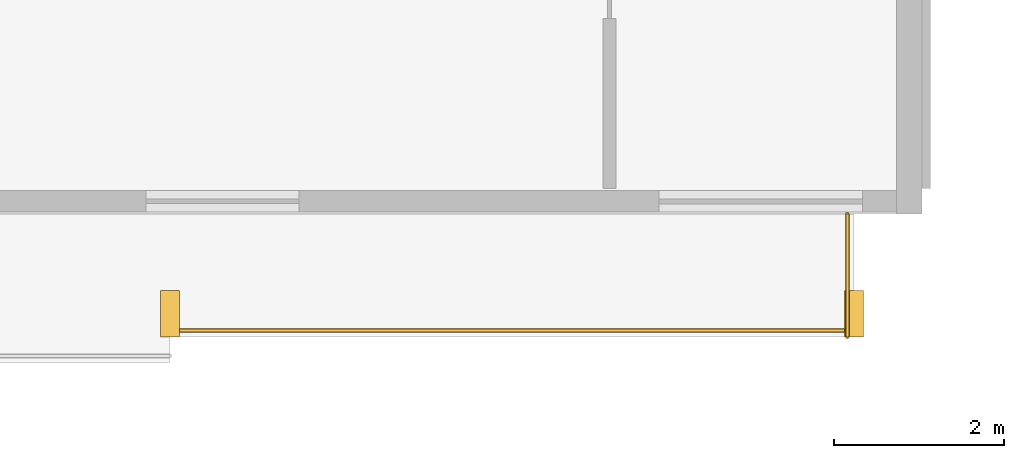
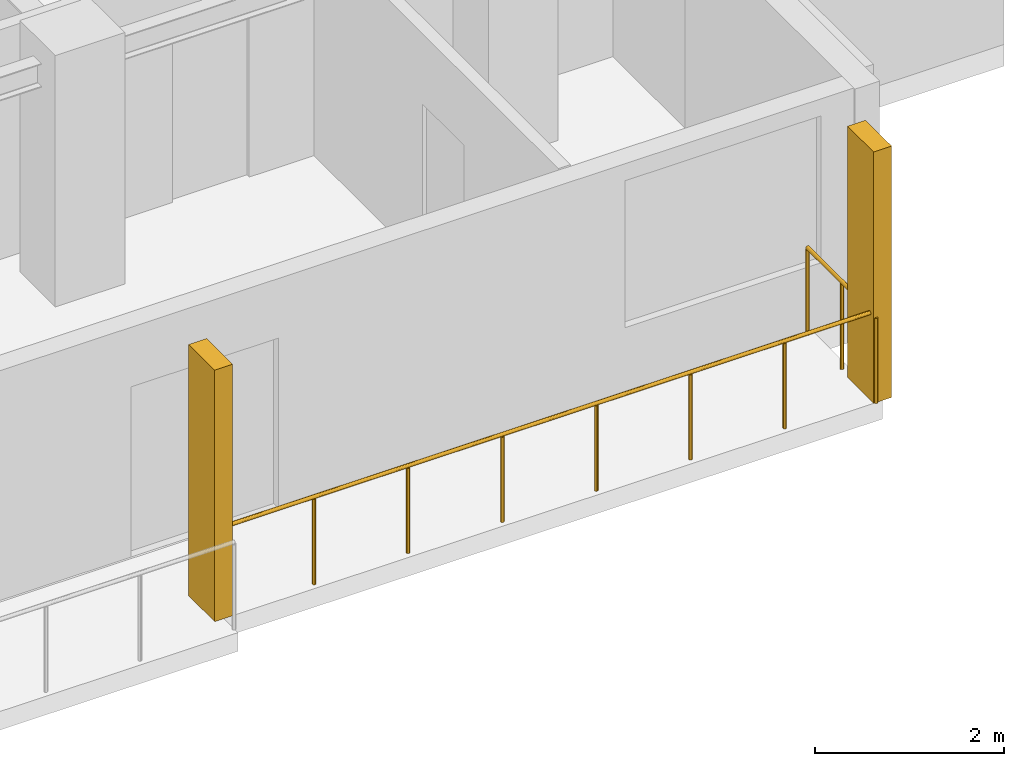
# One storey, part 36 of 38: 2 railings, 2 shading devices.
"""IFC4 building model written with IfcOpenShell, lengths in metres."""

from ifc_helpers import new_model, si_unit, direction, frame, origin, origin_2d, place, context, subcontext, project, spatial, rectangle, circle, extrude, material, type_object, element, save


model = new_model("IFC4")

# Units and contexts
model_context = context("Model", 3, precision=1e-05, world=origin(), true_north=direction((0.0, 1.0)))
body_context = subcontext(model_context, "Body", "Model", "MODEL_VIEW")
ifc_project = project(units=[si_unit("LENGTHUNIT", "METRE"), si_unit("AREAUNIT", "SQUARE_METRE"), si_unit("VOLUMEUNIT", "CUBIC_METRE"), si_unit("PLANEANGLEUNIT", "RADIAN"), si_unit("MASSUNIT", "GRAM", prefix="KILO")], contexts=[model_context])

# Site, building, storey
site_placement = place(None, origin())
site = spatial("IfcSite", under=ifc_project, at=site_placement, CompositionType="ELEMENT")
building_placement = place(site_placement, origin())
building = spatial("IfcBuilding", under=site, at=building_placement, Name="Korimba Cascade Residences", CompositionType="ELEMENT")
storey_placement = place(building_placement, frame((0.0, 0.0, 93.800048828125)))
storey = spatial("IfcBuildingStorey", under=building, at=storey_placement, Name="L26", CompositionType="ELEMENT", Elevation=93.800048828125)

# Railings
ifc_material_1 = material(Name="Laminated Glass and Bronze Balustrade", Category="glass")
railing_type = type_object("IfcRailingType", Name="RLG-LOG-1150", PredefinedType="BALUSTRADE", material=ifc_material_1)
railing_1_placement = place(storey_placement, frame((121.843017578125, -10.3701171875, 0.0)))
element("IfcRailing", 1, at=railing_1_placement, inside=storey, type_object=railing_type, Name="L26 Perimeter Guardrail RLG-L26-T2-LOG-07", PredefinedType="BALUSTRADE", context=body_context, shape_type="SweptSolid", body=[
    extrude(circle(Radius=0.02392578125, at=origin_2d()), frame((0.0, 0.0, 1.1259765625), z_axis=(1.0, 0.0, 0.0), x_axis=(0.0, 1.0, 0.0)), (0.0, 0.0, 1.0), 8.056884765625),
    extrude(circle(Radius=0.02099609375, at=origin_2d()), origin(), (0.0, 0.0, 1.0), 1.101806640625),
    extrude(circle(Radius=0.02099609375, at=origin_2d()), frame((1.15087890625, 0.0, 0.0)), (0.0, 0.0, 1.0), 1.101806640625),
    extrude(circle(Radius=0.02099609375, at=origin_2d()), frame((2.302001953125, 0.0, 0.0)), (0.0, 0.0, 1.0), 1.101806640625),
    extrude(circle(Radius=0.02099609375, at=origin_2d()), frame((3.452880859375, 0.0, 0.0)), (0.0, 0.0, 1.0), 1.101806640625),
    extrude(circle(Radius=0.02099609375, at=origin_2d()), frame((4.60400390625, 0.0, 0.0)), (0.0, 0.0, 1.0), 1.101806640625),
    extrude(circle(Radius=0.02099609375, at=origin_2d()), frame((5.7548828125, 0.0, 0.0)), (0.0, 0.0, 1.0), 1.101806640625),
    extrude(circle(Radius=0.02099609375, at=origin_2d()), frame((6.906005859375, 0.0, 0.0)), (0.0, 0.0, 1.0), 1.101806640625),
    extrude(circle(Radius=0.02099609375, at=origin_2d()), frame((8.056884765625, 0.0, 0.0)), (0.0, 0.0, 1.0), 1.101806640625),
])
railing_2_placement = place(storey_placement, frame((129.820068359375, -10.449951171875, 0.0)))
element("IfcRailing", 2, at=railing_2_placement, inside=storey, type_object=railing_type, Name="L26 Perimeter Guardrail RLG-L26-T2-LOG-08", PredefinedType="BALUSTRADE", context=body_context, shape_type="SweptSolid", body=[
    extrude(circle(Radius=0.02392578125, at=origin_2d()), frame((0.0, 0.0, 1.1259765625), z_axis=(0.0, 1.0, 0.0), x_axis=(-1.0, 0.0, 0.0)), (0.0, 0.0, 1.0), 1.449951171875),
    extrude(circle(Radius=0.02099609375, at=origin_2d()), origin(), (0.0, 0.0, 1.0), 1.101806640625),
    extrude(circle(Radius=0.02099609375, at=origin_2d()), frame((0.0, 0.72509765625, 0.0)), (0.0, 0.0, 1.0), 1.101806640625),
    extrude(circle(Radius=0.02099609375, at=origin_2d()), frame((0.0, 1.449951171875, 0.0)), (0.0, 0.0, 1.0), 1.101806640625),
])

# Shading devices
ifc_material_2 = material(Name="Honed Sandstone Precast Fin", Category="masonry")
shading_device_type = type_object("IfcShadingDeviceType", Name="SHD-FIN-550", PredefinedType="USERDEFINED", material=ifc_material_2)
for number, where, z_axis, x_axis, name in (
    (3, (121.843017578125, -10.175048828125, 0.0), (0.0, 0.0, 1.0), (1.0, 0.0, 0.0), "L26 T2 Warm-Stone Loggia Fin 7"),
    (4, (129.89990234375, -10.175048828125, 0.0), (0.0, 0.0, 1.0), (1.0, 0.0, 0.0), "L26 T2 Warm-Stone Loggia Fin 8"),
):
    element("IfcShadingDevice", number, at=place(storey_placement, frame(where, z_axis=z_axis, x_axis=x_axis)), inside=storey, type_object=shading_device_type, Name=name, ObjectType="FIN", PredefinedType="USERDEFINED", context=body_context, shape_type="SweptSolid", body=[
        extrude(rectangle(XDim=0.219970703125, YDim=0.550048828125, at=origin_2d()), origin(), (0.0, 0.0, 1.0), 3.25),
    ])

save(model, "model.ifc")
